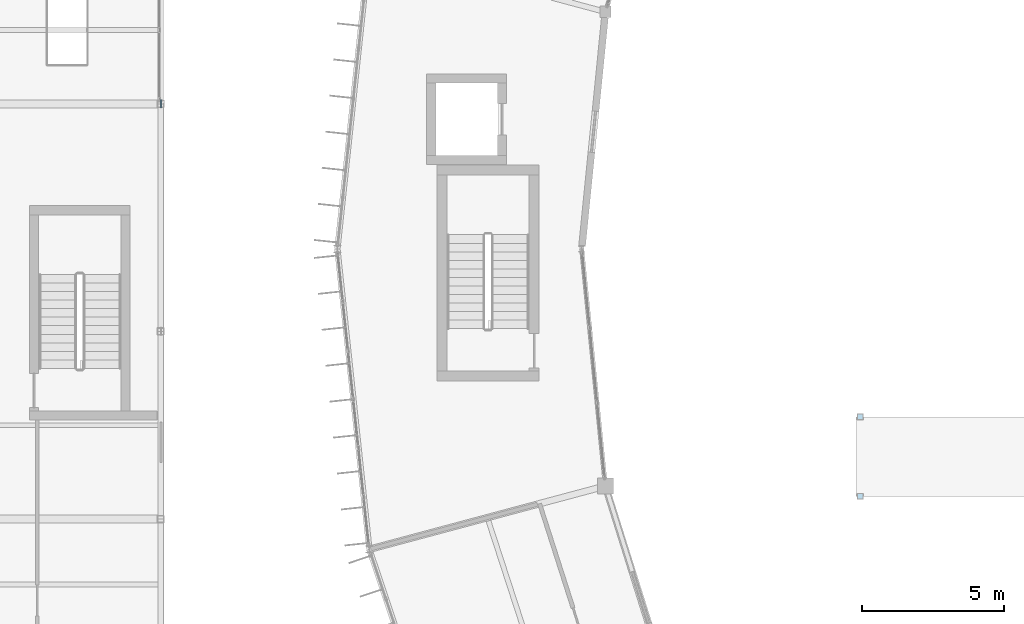
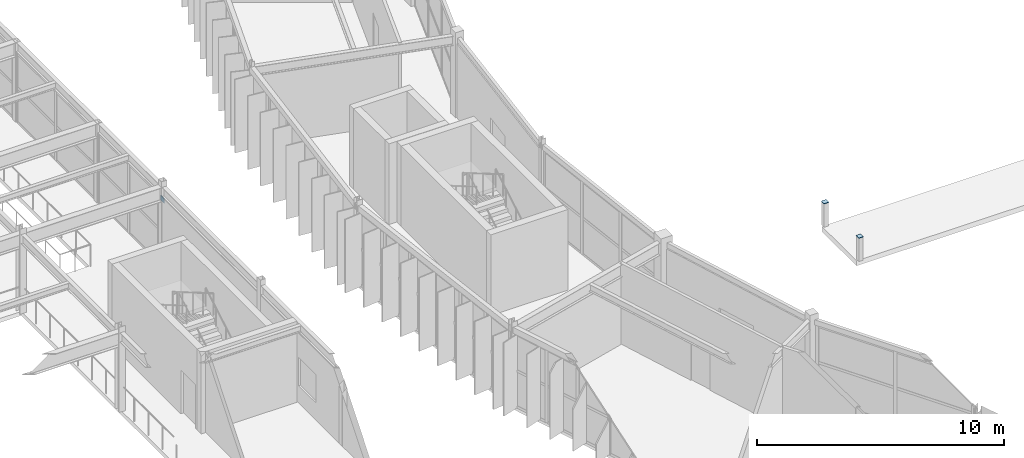
# One storey, part 128 of 157: 3 plates.
"""IFC4 building model written with IfcOpenShell, lengths in metres."""

from ifc_helpers import new_model, si_unit, direction, frame, origin, origin_2d, place, context, subcontext, project, spatial, rectangle, extrude, material, layer, layer_set, type_object, element, save


model = new_model("IFC4")

# Units and contexts
model_context = context("Model", 3, precision=1e-05, world=origin(), true_north=direction((0.0, 1.0)))
body_context = subcontext(model_context, "Body", "Model", "MODEL_VIEW")
ifc_project = project(units=[si_unit("LENGTHUNIT", "METRE"), si_unit("AREAUNIT", "SQUARE_METRE"), si_unit("VOLUMEUNIT", "CUBIC_METRE"), si_unit("PLANEANGLEUNIT", "RADIAN"), si_unit("MASSUNIT", "GRAM", prefix="KILO")], contexts=[model_context])

# Site, building, storey
site_placement = place(None, origin())
site = spatial("IfcSite", under=ifc_project, at=site_placement, CompositionType="ELEMENT")
building_placement = place(site_placement, origin())
building = spatial("IfcBuilding", under=site, at=building_placement, Name="Karori Crest Natural Sciences Institute", CompositionType="ELEMENT")
storey_placement = place(building_placement, frame((0.0, 0.0, 13.300048828125)))
storey = spatial("IfcBuildingStorey", under=building, at=storey_placement, Name="L03", CompositionType="ELEMENT", Elevation=13.300048828125)

# Plates
ifc_material = material(Name="Structural steel AS/NZS 3679.1 Grade 350", Category="steel")
ifc_layer = layer(ifc_material, 0.02490234375, Name="Structural steel AS/NZS 3679.1 Grade 350")
ifc_layer_set = layer_set([ifc_layer], Name="Structural steel AS/NZS 3679.1 Grade 350")
plate_type = type_object("IfcPlateType", Name="PLT-06-EL", PredefinedType="SHEET", material=ifc_layer_set)
for number, where, z_axis, x_axis, name in (
    (1, (51.7900390625, 41.199951171875, 1.14990234375), (0.0, 0.0, 1.0), (1.0, 0.0, 0.0), "Hollow section end cap EP-0153"),
    (2, (51.7900390625, 44.0, 1.14990234375), (0.0, 0.0, 1.0), (1.0, 0.0, 0.0), "Hollow section end cap EP-0157"),
):
    element("IfcPlate", number, at=place(storey_placement, frame(where, z_axis=z_axis, x_axis=x_axis)), inside=storey, type_object=plate_type, Name=name, PredefinedType="SHEET", context=body_context, shape_type="SweptSolid", body=[
        extrude(rectangle(XDim=0.219970703125, YDim=0.219970703125, at=origin_2d()), origin(), (0.0, 0.0, 1.0), 0.02490234375),
    ])
plate_placement = place(storey_placement, frame((27.199951171875, 55.0, 3.10986328125), z_axis=(0.0, 0.0, 1.0), x_axis=(0.0, 1.0, 0.0)))
element("IfcPlate", 3, at=plate_placement, inside=storey, type_object=plate_type, Name="Brace gusset plate EP-0256", PredefinedType="SHEET", context=body_context, shape_type="SweptSolid", body=[
    extrude(rectangle(XDim=0.280029296875, YDim=0.02490234375, at=origin_2d()), origin(), (0.0, 0.0, 1.0), 0.239990234375),
])

save(model, "model.ifc")
